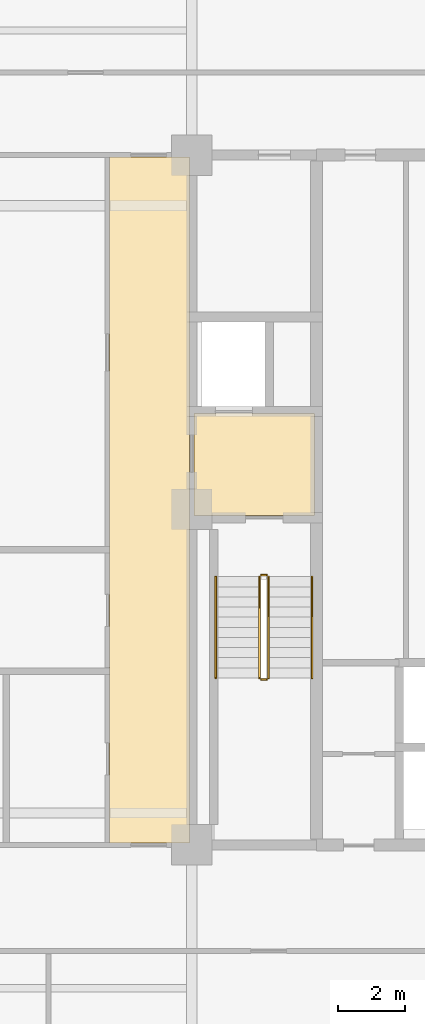
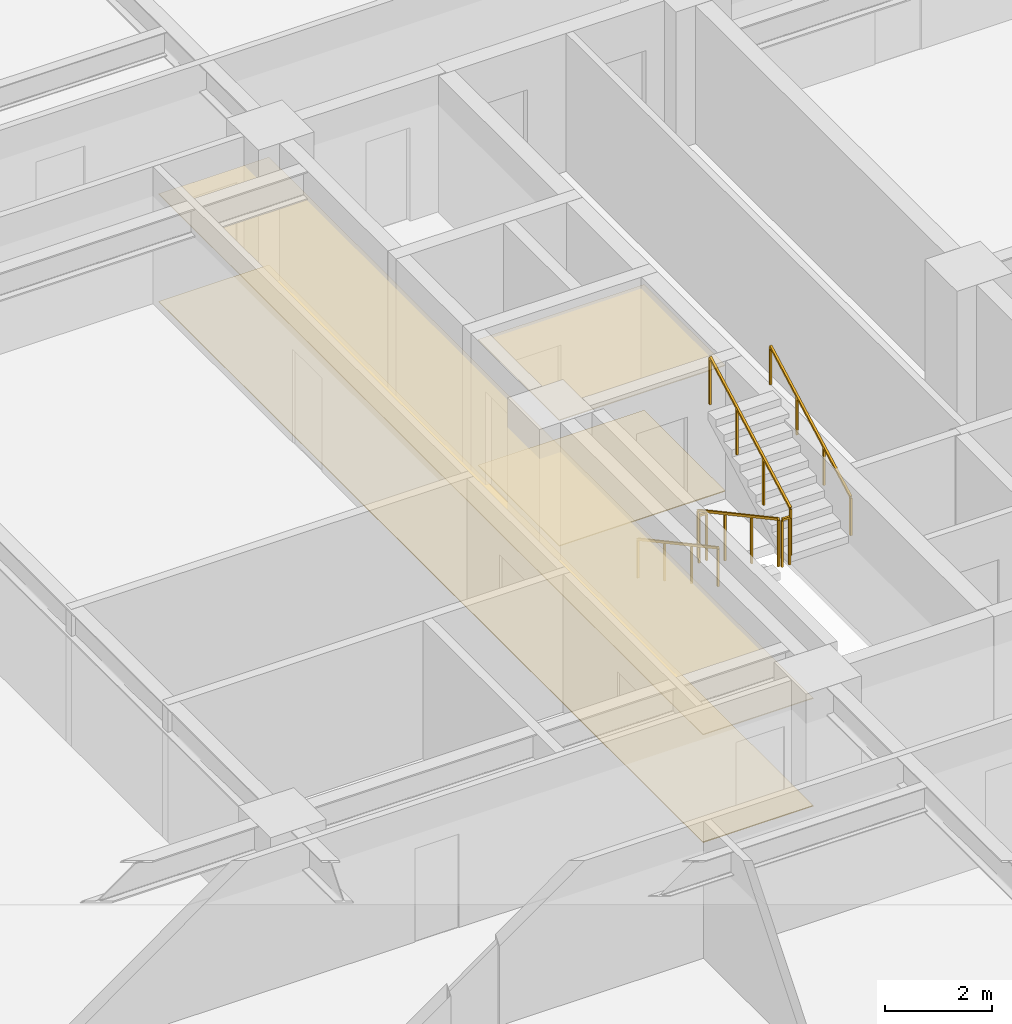
# One storey, part 11 of 12: 6 railings, 4 coverings.
"""IFC4 building model written with IfcOpenShell, lengths in metres."""

from ifc_helpers import new_model, si_unit, direction, frame, origin, origin_2d, place, context, subcontext, project, spatial, polyline, rectangle, outline, extrude, material, layer, layer_set, type_object, element, save


model = new_model("IFC4")

# Units and contexts
model_context = context("Model", 3, precision=1e-05, world=origin(), true_north=direction((0.0, 1.0)))
body_context = subcontext(model_context, "Body", "Model", "MODEL_VIEW")
ifc_project = project(units=[si_unit("LENGTHUNIT", "METRE"), si_unit("AREAUNIT", "SQUARE_METRE"), si_unit("VOLUMEUNIT", "CUBIC_METRE"), si_unit("PLANEANGLEUNIT", "RADIAN"), si_unit("MASSUNIT", "GRAM", prefix="KILO")], contexts=[model_context])

# Site, building, storey
site_placement = place(None, origin())
site = spatial("IfcSite", under=ifc_project, at=site_placement, CompositionType="ELEMENT")
building_placement = place(site_placement, origin())
building = spatial("IfcBuilding", under=site, at=building_placement, Name="Zulmaris Gate Convention Tower", CompositionType="ELEMENT")
storey_placement = place(building_placement, frame((0.0, 0.0, 48.6201171875)))
storey = spatial("IfcBuildingStorey", under=building, at=storey_placement, Name="L11", CompositionType="ELEMENT", Elevation=48.6201171875)

# Coverings
ifc_material_1 = material(Name="Mineral Fibre Acoustic Ceiling Tile")
ifc_layer_1 = layer(ifc_material_1, 0.02001953125, Name="Mineral Fibre Acoustic Ceiling Tile")
ifc_layer_set_1 = layer_set([ifc_layer_1], Name="Mineral Fibre Acoustic Ceiling Tile")
covering_type_1 = type_object("IfcCoveringType", Name="CLG-ACOUSTIC-600", PredefinedType="CEILING", material=ifc_layer_set_1)
covering_1_placement = place(storey_placement, frame((0.0, 0.0, 2.86474609375)))
element("IfcCovering", 1, at=covering_1_placement, inside=storey, type_object=covering_type_1, Name="CLG-L11-R08", PredefinedType="CEILING", context=body_context, shape_type="SweptSolid", body=[
    extrude(outline(polyline([(11.06005859375, -0.18994140625), (14.639892578125, -0.18994140625), (14.639892578125, 2.840087890625), (11.06005859375, 2.840087890625), (11.06005859375, -0.18994140625)])), origin(), (0.0, 0.0, 1.0), 0.02001953125),
])
covering_2_placement = place(storey_placement, frame((0.0, 0.0, 2.452880859375)))
element("IfcCovering", 2, at=covering_2_placement, inside=storey, type_object=covering_type_1, Name="CLG-L11-R32", PredefinedType="CEILING", context=body_context, shape_type="SweptSolid", body=[
    extrude(outline(polyline([(8.56005859375, -9.889892578125), (10.93994140625, -9.889892578125), (10.93994140625, 10.43994140625), (8.56005859375, 10.43994140625), (8.56005859375, -9.889892578125)])), origin(), (0.0, 0.0, 1.0), 0.02001953125),
])
ifc_material_2 = material(Name="Woven Acoustic Wool Carpet Tile")
ifc_layer_2 = layer(ifc_material_2, 0.02001953125, Name="Woven Acoustic Wool Carpet Tile")
ifc_layer_set_2 = layer_set([ifc_layer_2], Name="Woven Acoustic Wool Carpet Tile")
covering_type_2 = type_object("IfcCoveringType", Name="FLR-CARPET-12", PredefinedType="FLOORING", material=ifc_layer_set_2)
covering_3_placement = place(storey_placement, origin())
element("IfcCovering", 3, at=covering_3_placement, inside=storey, type_object=covering_type_2, Name="FLR-L11-R08", PredefinedType="FLOORING", context=body_context, shape_type="SweptSolid", body=[
    extrude(outline(polyline([(11.06005859375, -0.18994140625), (14.639892578125, -0.18994140625), (14.639892578125, 2.840087890625), (11.06005859375, 2.840087890625), (11.06005859375, -0.18994140625)])), origin(), (0.0, 0.0, 1.0), 0.02001953125),
])
covering_4_placement = place(storey_placement, origin())
element("IfcCovering", 4, at=covering_4_placement, inside=storey, type_object=covering_type_2, Name="FLR-L11-R32", PredefinedType="FLOORING", context=body_context, shape_type="SweptSolid", body=[
    extrude(outline(polyline([(8.56005859375, -9.889892578125), (10.93994140625, -9.889892578125), (10.93994140625, 10.43994140625), (8.56005859375, 10.43994140625), (8.56005859375, -9.889892578125)])), origin(), (0.0, 0.0, 1.0), 0.02001953125),
])

# Railings
ifc_material_3 = material(Name="Painted Galvanised Steel", Category="steel")
railing_type_1 = type_object("IfcRailingType", Name="RL-STG-1150", PredefinedType="GUARDRAIL", material=ifc_material_3)
railing_1_placement = place(storey_placement, frame((13.010009765625, -2.0, 0.162353515625)))
element("IfcRailing", 5, at=railing_1_placement, inside=storey, type_object=railing_type_1, Name="L11 ST-2 stair guard 1", PredefinedType="GUARDRAIL", context=body_context, shape_type="SweptSolid", body=[
    extrude(rectangle(XDim=0.048095703125, YDim=0.048095703125, at=origin_2d()), frame((0.0, 0.0, 1.076171875), z_axis=(0.0, -0.879591569277, 0.475729619907), x_axis=(1.0, 0.0, 0.0)), (0.0, 0.0, 1.0), 3.41064453125),
    extrude(rectangle(XDim=0.0419921875, YDim=0.0419921875, at=origin_2d()), origin(), (0.0, 0.0, 1.0), 1.052001953125),
    extrude(rectangle(XDim=0.0419921875, YDim=0.0419921875, at=origin_2d()), frame((0.0, -1.0, 0.540771484375)), (0.0, 0.0, 1.0), 1.052001953125),
    extrude(rectangle(XDim=0.0419921875, YDim=0.0419921875, at=origin_2d()), frame((0.0, -2.0, 1.081787109375)), (0.0, 0.0, 1.0), 1.052001953125),
    extrude(rectangle(XDim=0.0419921875, YDim=0.0419921875, at=origin_2d()), frame((0.0, -3.0, 1.62255859375)), (0.0, 0.0, 1.0), 1.052001953125),
])
railing_2_placement = place(storey_placement, frame((13.06005859375, -5.050048828125, 1.784912109375)))
element("IfcRailing", 6, at=railing_2_placement, inside=storey, type_object=railing_type_1, Name="L11 ST-2 stair guard 2", PredefinedType="GUARDRAIL", context=body_context, shape_type="SweptSolid", body=[
    extrude(rectangle(XDim=0.048095703125, YDim=0.048095703125, at=origin_2d()), frame((0.0, 0.0, 1.076171875), z_axis=(1.0, 0.0, 0.0), x_axis=(0.0, 1.0, 0.0)), (0.0, 0.0, 1.0), 0.159912109375),
    extrude(rectangle(XDim=0.0419921875, YDim=0.0419921875, at=origin_2d()), origin(), (0.0, 0.0, 1.0), 1.052001953125),
    extrude(rectangle(XDim=0.0419921875, YDim=0.0419921875, at=origin_2d()), frame((0.159912109375, 0.0, 0.0)), (0.0, 0.0, 1.0), 1.052001953125),
])
railing_3_placement = place(storey_placement, frame((13.27001953125, -5.0, 1.947265625)))
element("IfcRailing", 7, at=railing_3_placement, inside=storey, type_object=railing_type_1, Name="L11 ST-2 stair guard 3", PredefinedType="GUARDRAIL", context=body_context, shape_type="SweptSolid", body=[
    extrude(rectangle(XDim=0.048095703125, YDim=0.048095703125, at=origin_2d()), frame((0.0, 0.0, 1.076171875), z_axis=(0.0, 0.879591569277, 0.475729619907), x_axis=(-1.0, 0.0, 0.0)), (0.0, 0.0, 1.0), 3.41064453125),
    extrude(rectangle(XDim=0.0419921875, YDim=0.0419921875, at=origin_2d()), origin(), (0.0, 0.0, 1.0), 1.052001953125),
    extrude(rectangle(XDim=0.0419921875, YDim=0.0419921875, at=origin_2d()), frame((0.0, 1.0, 0.540771484375)), (0.0, 0.0, 1.0), 1.052001953125),
    extrude(rectangle(XDim=0.0419921875, YDim=0.0419921875, at=origin_2d()), frame((0.0, 2.0, 1.081787109375)), (0.0, 0.0, 1.0), 1.052001953125),
    extrude(rectangle(XDim=0.0419921875, YDim=0.0419921875, at=origin_2d()), frame((0.0, 3.0, 1.62255859375)), (0.0, 0.0, 1.0), 1.052001953125),
])
railing_4_placement = place(storey_placement, frame((13.06005859375, -1.949951171875, 0.0)))
element("IfcRailing", 8, at=railing_4_placement, inside=storey, type_object=railing_type_1, Name="L11 ST-2 stair guard 4", PredefinedType="GUARDRAIL", context=body_context, shape_type="SweptSolid", body=[
    extrude(rectangle(XDim=0.048095703125, YDim=0.048095703125, at=origin_2d()), frame((0.0, 0.0, 1.076171875), z_axis=(1.0, 0.0, 0.0), x_axis=(0.0, 1.0, 0.0)), (0.0, 0.0, 1.0), 0.159912109375),
    extrude(rectangle(XDim=0.0419921875, YDim=0.0419921875, at=origin_2d()), origin(), (0.0, 0.0, 1.0), 1.052001953125),
    extrude(rectangle(XDim=0.0419921875, YDim=0.0419921875, at=origin_2d()), frame((0.159912109375, 0.0, 0.0)), (0.0, 0.0, 1.0), 1.052001953125),
])
ifc_material_4 = material(Name="Brushed Stainless Steel", Category="steel")
railing_type_2 = type_object("IfcRailingType", Name="RL-STH-900", PredefinedType="HANDRAIL", material=ifc_material_4)
railing_5_placement = place(storey_placement, frame((11.7099609375, -2.0, 0.162353515625)))
element("IfcRailing", 9, at=railing_5_placement, inside=storey, type_object=railing_type_2, Name="L11 ST-2 stair handrail 1", PredefinedType="HANDRAIL", context=body_context, shape_type="SweptSolid", body=[
    extrude(rectangle(XDim=0.048095703125, YDim=0.048095703125, at=origin_2d()), frame((0.0, 0.0, 0.8759765625), z_axis=(0.0, -0.879591569277, 0.475729619907), x_axis=(1.0, 0.0, 0.0)), (0.0, 0.0, 1.0), 3.41064453125),
    extrude(rectangle(XDim=0.0419921875, YDim=0.0419921875, at=origin_2d()), origin(), (0.0, 0.0, 1.0), 0.851806640625),
    extrude(rectangle(XDim=0.0419921875, YDim=0.0419921875, at=origin_2d()), frame((0.0, -1.0, 0.540771484375)), (0.0, 0.0, 1.0), 0.851806640625),
    extrude(rectangle(XDim=0.0419921875, YDim=0.0419921875, at=origin_2d()), frame((0.0, -2.0, 1.081787109375)), (0.0, 0.0, 1.0), 0.851806640625),
    extrude(rectangle(XDim=0.0419921875, YDim=0.0419921875, at=origin_2d()), frame((0.0, -3.0, 1.62255859375)), (0.0, 0.0, 1.0), 0.851806640625),
])
railing_6_placement = place(storey_placement, frame((14.570068359375, -5.0, 1.947265625)))
element("IfcRailing", 10, at=railing_6_placement, inside=storey, type_object=railing_type_2, Name="L11 ST-2 stair handrail 2", PredefinedType="HANDRAIL", context=body_context, shape_type="SweptSolid", body=[
    extrude(rectangle(XDim=0.048095703125, YDim=0.048095703125, at=origin_2d()), frame((0.0, 0.0, 0.8759765625), z_axis=(0.0, 0.879591569277, 0.475729619907), x_axis=(-1.0, 0.0, 0.0)), (0.0, 0.0, 1.0), 3.41064453125),
    extrude(rectangle(XDim=0.0419921875, YDim=0.0419921875, at=origin_2d()), origin(), (0.0, 0.0, 1.0), 0.851806640625),
    extrude(rectangle(XDim=0.0419921875, YDim=0.0419921875, at=origin_2d()), frame((0.0, 1.0, 0.540771484375)), (0.0, 0.0, 1.0), 0.851806640625),
    extrude(rectangle(XDim=0.0419921875, YDim=0.0419921875, at=origin_2d()), frame((0.0, 2.0, 1.081787109375)), (0.0, 0.0, 1.0), 0.851806640625),
    extrude(rectangle(XDim=0.0419921875, YDim=0.0419921875, at=origin_2d()), frame((0.0, 3.0, 1.62255859375)), (0.0, 0.0, 1.0), 0.851806640625),
])

save(model, "model.ifc")
